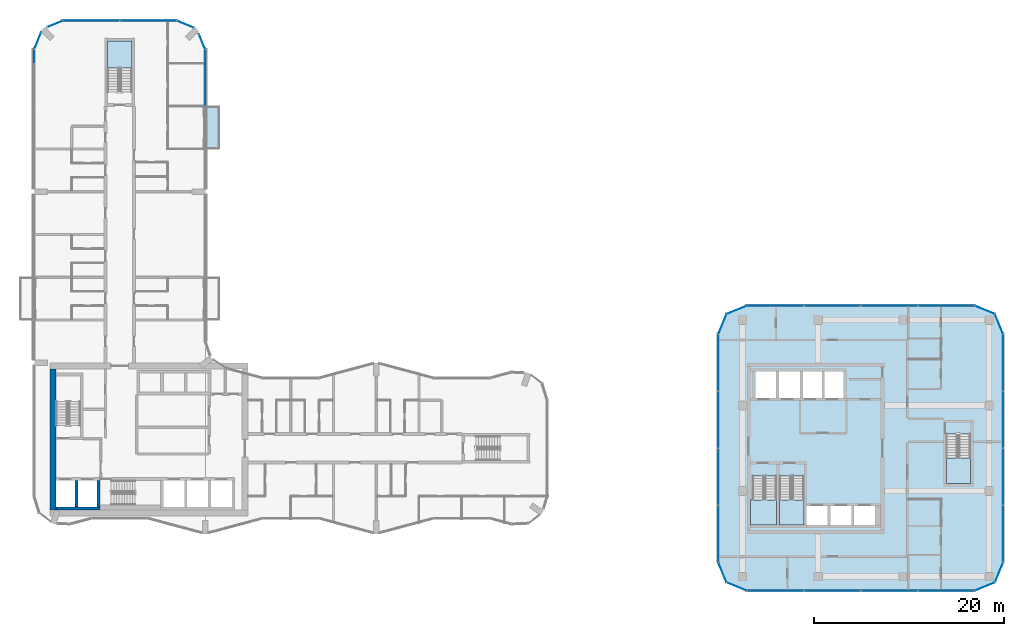
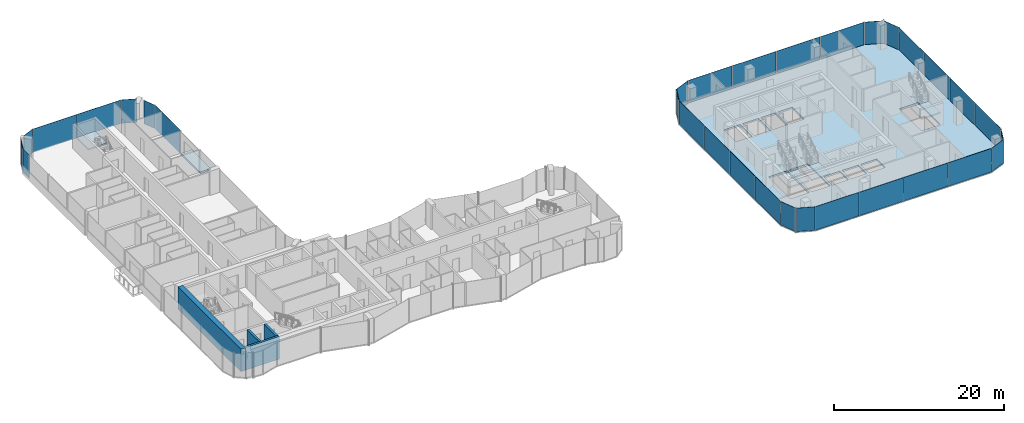
# One storey, part 12 of 22: 32 plates, 6 slabs, 4 walls, 23 elements without a shape of their own.
"""IFC4 building model written with IfcOpenShell, lengths in metres."""

from ifc_helpers import new_model, si_unit, direction, frame, frame_2d, origin, origin_2d, place, context, subcontext, project, spatial, polyline, rectangle, outline, extrude, material, layer, layer_set, type_object, element, aggregate, save


model = new_model("IFC4")

# Units and contexts
model_context = context("Model", 3, precision=1e-05, world=origin(), true_north=direction((0.0, 1.0)))
body_context = subcontext(model_context, "Body", "Model", "MODEL_VIEW")
ifc_project = project(units=[si_unit("LENGTHUNIT", "METRE"), si_unit("AREAUNIT", "SQUARE_METRE"), si_unit("VOLUMEUNIT", "CUBIC_METRE"), si_unit("PLANEANGLEUNIT", "RADIAN"), si_unit("MASSUNIT", "GRAM", prefix="KILO")], contexts=[model_context])

# Site, building, storey
site_placement = place(None, origin())
site = spatial("IfcSite", under=ifc_project, at=site_placement, CompositionType="ELEMENT")
building_placement = place(site_placement, origin())
building = spatial("IfcBuilding", under=site, at=building_placement, Name="Plateau Cross Towers", CompositionType="ELEMENT")
storey_placement = place(building_placement, frame((0.0, 0.0, 99.300048828125)))
storey = spatial("IfcBuildingStorey", under=building, at=storey_placement, Name="L25", CompositionType="ELEMENT", Elevation=99.300048828125)

# Slab
ifc_material_1 = material(Name="Concrete C40/50", Category="concrete")
ifc_layer_1 = layer(ifc_material_1, 0.25)
ifc_layer_set_1 = layer_set([ifc_layer_1], Name="Concrete C40/50")
slab_type_1 = type_object("IfcSlabType", Name="Balcony slab 250", PredefinedType="FLOOR", material=ifc_layer_set_1)
slab_1_placement = place(storey_placement, frame((0.0, 0.0, -0.25)))
element("IfcSlab", 1, at=slab_1_placement, inside=storey, type_object=slab_type_1, Name="Balcony slab A-BAL-L25-03", PredefinedType="FLOOR", context=body_context, shape_type="SweptSolid", body=[
    extrude(outline(polyline([(19.5, 40.5), (19.5, 45.0), (18.0, 45.0), (18.0, 40.5), (19.5, 40.5)])), origin(), (0.0, 0.0, 1.0), 0.25),
])

# Curtain wall, plates
ifc_material_2 = material(Name="Dark low-iron glass", Category="glass")
ifc_layer_2 = layer(ifc_material_2, 0.239990234375)
ifc_layer_set_2 = layer_set([ifc_layer_2], Name="Dark low-iron glass")
curtain_wall_type_1 = type_object("IfcCurtainWallType", Name="Curtain wall office unitised CW-F", PredefinedType="NOTDEFINED", material=ifc_layer_set_2)
curtain_wall_1_placement = place(storey_placement, origin())
curtain_wall_1 = element("IfcCurtainWall", 2, at=curtain_wall_1_placement, inside=storey, type_object=curtain_wall_type_1, Name="ENV/B/L25/B750_-60", PredefinedType="NOTDEFINED")
ifc_layer_3 = layer(ifc_material_2, 0.028076171875)
ifc_layer_set_3 = layer_set([ifc_layer_3], Name="Dark low-iron glass")
plate_type_1 = type_object("IfcPlateType", Name="Glass panel 28 office unitised", PredefinedType="CURTAIN_PANEL", material=ifc_layer_set_3)
plate_1_placement = place(storey_placement, frame((78.0, -6.0, -0.1298828125), z_axis=(0.0, 0.0, 1.0), x_axis=(1.0, 0.0, 0.0)))
plate_1 = element("IfcPlate", 3, at=plate_1_placement, type_object=plate_type_1, Name="CW-F panel 1", PredefinedType="CURTAIN_PANEL", context=body_context, shape_type="SweptSolid", body=[
    extrude(rectangle(XDim=5.93994140625, YDim=0.028076171875, at=origin_2d()), origin(), (0.0, 0.0, 1.0), 3.3798828125),
])
plate_2_placement = place(storey_placement, frame((84.0, -6.0, -0.1298828125), z_axis=(0.0, 0.0, 1.0), x_axis=(1.0, 0.0, 0.0)))
plate_2 = element("IfcPlate", 4, at=plate_2_placement, type_object=plate_type_1, Name="CW-F panel 2", PredefinedType="CURTAIN_PANEL", context=body_context, shape_type="SweptSolid", body=[
    extrude(rectangle(XDim=5.93994140625, YDim=0.028076171875, at=origin_2d()), origin(), (0.0, 0.0, 1.0), 3.3798828125),
])
plate_3_placement = place(storey_placement, frame((90.0, -6.0, -0.1298828125), z_axis=(0.0, 0.0, 1.0), x_axis=(1.0, 0.0, 0.0)))
plate_3 = element("IfcPlate", 5, at=plate_3_placement, type_object=plate_type_1, Name="CW-F panel 3", PredefinedType="CURTAIN_PANEL", context=body_context, shape_type="SweptSolid", body=[
    extrude(rectangle(XDim=5.93994140625, YDim=0.028076171875, at=origin_2d()), origin(), (0.0, 0.0, 1.0), 3.3798828125),
])
plate_4_placement = place(storey_placement, frame((96.0, -6.0, -0.1298828125), z_axis=(0.0, 0.0, 1.0), x_axis=(1.0, 0.0, 0.0)))
plate_4 = element("IfcPlate", 6, at=plate_4_placement, type_object=plate_type_1, Name="CW-F panel 4", PredefinedType="CURTAIN_PANEL", context=body_context, shape_type="SweptSolid", body=[
    extrude(rectangle(XDim=5.93994140625, YDim=0.028076171875, at=origin_2d()), origin(), (0.0, 0.0, 1.0), 3.3798828125),
])
aggregate(curtain_wall_1, [plate_1, plate_2, plate_3, plate_4])

# Curtain wall, plate
curtain_wall_2_placement = place(storey_placement, origin())
curtain_wall_2 = element("IfcCurtainWall", 7, at=curtain_wall_2_placement, inside=storey, type_object=curtain_wall_type_1, Name="ENV/B/L25/B990_-60", PredefinedType="NOTDEFINED")
plate_5_placement = place(storey_placement, frame((100.060546875, -5.560546875, -0.1298828125), z_axis=(0.0, 0.0, 1.0), x_axis=(0.923879457699, 0.382683612978, 0.0)))
plate_5 = element("IfcPlate", 8, at=plate_5_placement, type_object=plate_type_1, Name="CW-F panel 1", PredefinedType="CURTAIN_PANEL", context=body_context, shape_type="SweptSolid", body=[
    extrude(rectangle(XDim=2.236083984375, YDim=0.028076171875, at=origin_2d()), origin(), (0.0, 0.0, 1.0), 3.3798828125),
])
aggregate(curtain_wall_2, [plate_5])

curtain_wall_3_placement = place(storey_placement, origin())
curtain_wall_3 = element("IfcCurtainWall", 9, at=curtain_wall_3_placement, inside=storey, type_object=curtain_wall_type_1, Name="ENV/B/L25/B1011_-51", PredefinedType="NOTDEFINED")
plate_6_placement = place(storey_placement, frame((101.560546875, -4.060546875, -0.1298828125), z_axis=(0.0, 0.0, 1.0), x_axis=(0.382683612978, 0.923879457699, 0.0)))
plate_6 = element("IfcPlate", 10, at=plate_6_placement, type_object=plate_type_1, Name="CW-F panel 1", PredefinedType="CURTAIN_PANEL", context=body_context, shape_type="SweptSolid", body=[
    extrude(rectangle(XDim=2.236083984375, YDim=0.028076171875, at=origin_2d()), origin(), (0.0, 0.0, 1.0), 3.3798828125),
])
aggregate(curtain_wall_3, [plate_6])

# Curtain wall, plates
curtain_wall_4_placement = place(storey_placement, origin())
curtain_wall_4 = element("IfcCurtainWall", 11, at=curtain_wall_4_placement, inside=storey, type_object=curtain_wall_type_1, Name="ENV/B/L25/B1020_-30", PredefinedType="NOTDEFINED")
plate_7_placement = place(storey_placement, frame((102.0, 0.0, -0.1298828125), z_axis=(0.0, 0.0, 1.0), x_axis=(0.0, 1.0, 0.0)))
plate_7 = element("IfcPlate", 12, at=plate_7_placement, type_object=plate_type_1, Name="CW-F panel 1", PredefinedType="CURTAIN_PANEL", context=body_context, shape_type="SweptSolid", body=[
    extrude(rectangle(XDim=5.93994140625, YDim=0.028076171875, at=origin_2d()), origin(), (0.0, 0.0, 1.0), 3.3798828125),
])
plate_8_placement = place(storey_placement, frame((102.0, 6.0, -0.1298828125), z_axis=(0.0, 0.0, 1.0), x_axis=(0.0, 1.0, 0.0)))
plate_8 = element("IfcPlate", 13, at=plate_8_placement, type_object=plate_type_1, Name="CW-F panel 2", PredefinedType="CURTAIN_PANEL", context=body_context, shape_type="SweptSolid", body=[
    extrude(rectangle(XDim=5.93994140625, YDim=0.028076171875, at=origin_2d()), origin(), (0.0, 0.0, 1.0), 3.3798828125),
])
plate_9_placement = place(storey_placement, frame((102.0, 12.0, -0.1298828125), z_axis=(0.0, 0.0, 1.0), x_axis=(0.0, 1.0, 0.0)))
plate_9 = element("IfcPlate", 14, at=plate_9_placement, type_object=plate_type_1, Name="CW-F panel 3", PredefinedType="CURTAIN_PANEL", context=body_context, shape_type="SweptSolid", body=[
    extrude(rectangle(XDim=5.93994140625, YDim=0.028076171875, at=origin_2d()), origin(), (0.0, 0.0, 1.0), 3.3798828125),
])
plate_10_placement = place(storey_placement, frame((102.0, 18.0, -0.1298828125), z_axis=(0.0, 0.0, 1.0), x_axis=(0.0, 1.0, 0.0)))
plate_10 = element("IfcPlate", 15, at=plate_10_placement, type_object=plate_type_1, Name="CW-F panel 4", PredefinedType="CURTAIN_PANEL", context=body_context, shape_type="SweptSolid", body=[
    extrude(rectangle(XDim=5.93994140625, YDim=0.028076171875, at=origin_2d()), origin(), (0.0, 0.0, 1.0), 3.3798828125),
])
aggregate(curtain_wall_4, [plate_7, plate_8, plate_9, plate_10])

# Curtain wall, plate
curtain_wall_5_placement = place(storey_placement, origin())
curtain_wall_5 = element("IfcCurtainWall", 16, at=curtain_wall_5_placement, inside=storey, type_object=curtain_wall_type_1, Name="ENV/B/L25/B1020_210", PredefinedType="NOTDEFINED")
plate_11_placement = place(storey_placement, frame((101.560546875, 22.060546875, -0.1298828125), z_axis=(0.0, 0.0, 1.0), x_axis=(-0.382683612978, 0.923879457699, 0.0)))
plate_11 = element("IfcPlate", 17, at=plate_11_placement, type_object=plate_type_1, Name="CW-F panel 1", PredefinedType="CURTAIN_PANEL", context=body_context, shape_type="SweptSolid", body=[
    extrude(rectangle(XDim=2.236083984375, YDim=0.028076171875, at=origin_2d()), origin(), (0.0, 0.0, 1.0), 3.3798828125),
])
aggregate(curtain_wall_5, [plate_11])

curtain_wall_6_placement = place(storey_placement, origin())
curtain_wall_6 = element("IfcCurtainWall", 18, at=curtain_wall_6_placement, inside=storey, type_object=curtain_wall_type_1, Name="ENV/B/L25/B1011_231", PredefinedType="NOTDEFINED")
plate_12_placement = place(storey_placement, frame((100.060546875, 23.560546875, -0.1298828125), z_axis=(0.0, 0.0, 1.0), x_axis=(-0.923879457699, 0.382683612978, 0.0)))
plate_12 = element("IfcPlate", 19, at=plate_12_placement, type_object=plate_type_1, Name="CW-F panel 1", PredefinedType="CURTAIN_PANEL", context=body_context, shape_type="SweptSolid", body=[
    extrude(rectangle(XDim=2.236083984375, YDim=0.028076171875, at=origin_2d()), origin(), (0.0, 0.0, 1.0), 3.3798828125),
])
aggregate(curtain_wall_6, [plate_12])

# Curtain wall, plates
curtain_wall_7_placement = place(storey_placement, origin())
curtain_wall_7 = element("IfcCurtainWall", 20, at=curtain_wall_7_placement, inside=storey, type_object=curtain_wall_type_1, Name="ENV/B/L25/B990_240", PredefinedType="NOTDEFINED")
plate_13_placement = place(storey_placement, frame((96.0, 24.0, -0.1298828125), z_axis=(0.0, 0.0, 1.0), x_axis=(-1.0, 0.0, 0.0)))
plate_13 = element("IfcPlate", 21, at=plate_13_placement, type_object=plate_type_1, Name="CW-F panel 1", PredefinedType="CURTAIN_PANEL", context=body_context, shape_type="SweptSolid", body=[
    extrude(rectangle(XDim=5.93994140625, YDim=0.028076171875, at=origin_2d()), origin(), (0.0, 0.0, 1.0), 3.3798828125),
])
plate_14_placement = place(storey_placement, frame((90.0, 24.0, -0.1298828125), z_axis=(0.0, 0.0, 1.0), x_axis=(-1.0, 0.0, 0.0)))
plate_14 = element("IfcPlate", 22, at=plate_14_placement, type_object=plate_type_1, Name="CW-F panel 2", PredefinedType="CURTAIN_PANEL", context=body_context, shape_type="SweptSolid", body=[
    extrude(rectangle(XDim=5.93994140625, YDim=0.028076171875, at=origin_2d()), origin(), (0.0, 0.0, 1.0), 3.3798828125),
])
plate_15_placement = place(storey_placement, frame((84.0, 24.0, -0.1298828125), z_axis=(0.0, 0.0, 1.0), x_axis=(-1.0, 0.0, 0.0)))
plate_15 = element("IfcPlate", 23, at=plate_15_placement, type_object=plate_type_1, Name="CW-F panel 3", PredefinedType="CURTAIN_PANEL", context=body_context, shape_type="SweptSolid", body=[
    extrude(rectangle(XDim=5.93994140625, YDim=0.028076171875, at=origin_2d()), origin(), (0.0, 0.0, 1.0), 3.3798828125),
])
plate_16_placement = place(storey_placement, frame((78.0, 24.0, -0.1298828125), z_axis=(0.0, 0.0, 1.0), x_axis=(-1.0, 0.0, 0.0)))
plate_16 = element("IfcPlate", 24, at=plate_16_placement, type_object=plate_type_1, Name="CW-F panel 4", PredefinedType="CURTAIN_PANEL", context=body_context, shape_type="SweptSolid", body=[
    extrude(rectangle(XDim=5.93994140625, YDim=0.028076171875, at=origin_2d()), origin(), (0.0, 0.0, 1.0), 3.3798828125),
])
aggregate(curtain_wall_7, [plate_13, plate_14, plate_15, plate_16])

# Curtain wall, plate
curtain_wall_8_placement = place(storey_placement, origin())
curtain_wall_8 = element("IfcCurtainWall", 25, at=curtain_wall_8_placement, inside=storey, type_object=curtain_wall_type_1, Name="ENV/B/L25/B750_240", PredefinedType="NOTDEFINED")
plate_17_placement = place(storey_placement, frame((73.939453125, 23.560546875, -0.1298828125), z_axis=(0.0, 0.0, 1.0), x_axis=(-0.923879457699, -0.382683612978, 0.0)))
plate_17 = element("IfcPlate", 26, at=plate_17_placement, type_object=plate_type_1, Name="CW-F panel 1", PredefinedType="CURTAIN_PANEL", context=body_context, shape_type="SweptSolid", body=[
    extrude(rectangle(XDim=2.236083984375, YDim=0.028076171875, at=origin_2d()), origin(), (0.0, 0.0, 1.0), 3.3798828125),
])
aggregate(curtain_wall_8, [plate_17])

curtain_wall_9_placement = place(storey_placement, origin())
curtain_wall_9 = element("IfcCurtainWall", 27, at=curtain_wall_9_placement, inside=storey, type_object=curtain_wall_type_1, Name="ENV/B/L25/B729_231", PredefinedType="NOTDEFINED")
plate_18_placement = place(storey_placement, frame((72.439453125, 22.060546875, -0.1298828125), z_axis=(0.0, 0.0, 1.0), x_axis=(-0.382683612978, -0.923879457699, 0.0)))
plate_18 = element("IfcPlate", 28, at=plate_18_placement, type_object=plate_type_1, Name="CW-F panel 1", PredefinedType="CURTAIN_PANEL", context=body_context, shape_type="SweptSolid", body=[
    extrude(rectangle(XDim=2.236083984375, YDim=0.028076171875, at=origin_2d()), origin(), (0.0, 0.0, 1.0), 3.3798828125),
])
aggregate(curtain_wall_9, [plate_18])

# Curtain wall, plates
curtain_wall_10_placement = place(storey_placement, origin())
curtain_wall_10 = element("IfcCurtainWall", 29, at=curtain_wall_10_placement, inside=storey, type_object=curtain_wall_type_1, Name="ENV/B/L25/B720_210", PredefinedType="NOTDEFINED")
plate_19_placement = place(storey_placement, frame((72.0, 18.0, -0.1298828125), z_axis=(0.0, 0.0, 1.0), x_axis=(0.0, -1.0, 0.0)))
plate_19 = element("IfcPlate", 30, at=plate_19_placement, type_object=plate_type_1, Name="CW-F panel 1", PredefinedType="CURTAIN_PANEL", context=body_context, shape_type="SweptSolid", body=[
    extrude(rectangle(XDim=5.93994140625, YDim=0.028076171875, at=origin_2d()), origin(), (0.0, 0.0, 1.0), 3.3798828125),
])
plate_20_placement = place(storey_placement, frame((72.0, 12.0, -0.1298828125), z_axis=(0.0, 0.0, 1.0), x_axis=(0.0, -1.0, 0.0)))
plate_20 = element("IfcPlate", 31, at=plate_20_placement, type_object=plate_type_1, Name="CW-F panel 2", PredefinedType="CURTAIN_PANEL", context=body_context, shape_type="SweptSolid", body=[
    extrude(rectangle(XDim=5.93994140625, YDim=0.028076171875, at=origin_2d()), origin(), (0.0, 0.0, 1.0), 3.3798828125),
])
plate_21_placement = place(storey_placement, frame((72.0, 6.0, -0.1298828125), z_axis=(0.0, 0.0, 1.0), x_axis=(0.0, -1.0, 0.0)))
plate_21 = element("IfcPlate", 32, at=plate_21_placement, type_object=plate_type_1, Name="CW-F panel 3", PredefinedType="CURTAIN_PANEL", context=body_context, shape_type="SweptSolid", body=[
    extrude(rectangle(XDim=5.93994140625, YDim=0.028076171875, at=origin_2d()), origin(), (0.0, 0.0, 1.0), 3.3798828125),
])
plate_22_placement = place(storey_placement, frame((72.0, 0.0, -0.1298828125), z_axis=(0.0, 0.0, 1.0), x_axis=(0.0, -1.0, 0.0)))
plate_22 = element("IfcPlate", 33, at=plate_22_placement, type_object=plate_type_1, Name="CW-F panel 4", PredefinedType="CURTAIN_PANEL", context=body_context, shape_type="SweptSolid", body=[
    extrude(rectangle(XDim=5.93994140625, YDim=0.028076171875, at=origin_2d()), origin(), (0.0, 0.0, 1.0), 3.3798828125),
])
aggregate(curtain_wall_10, [plate_19, plate_20, plate_21, plate_22])

# Curtain wall, plate
curtain_wall_11_placement = place(storey_placement, origin())
curtain_wall_11 = element("IfcCurtainWall", 34, at=curtain_wall_11_placement, inside=storey, type_object=curtain_wall_type_1, Name="ENV/B/L25/B720_-30", PredefinedType="NOTDEFINED")
plate_23_placement = place(storey_placement, frame((72.439453125, -4.060546875, -0.1298828125), z_axis=(0.0, 0.0, 1.0), x_axis=(0.382683612978, -0.923879457699, 0.0)))
plate_23 = element("IfcPlate", 35, at=plate_23_placement, type_object=plate_type_1, Name="CW-F panel 1", PredefinedType="CURTAIN_PANEL", context=body_context, shape_type="SweptSolid", body=[
    extrude(rectangle(XDim=2.236083984375, YDim=0.028076171875, at=origin_2d()), origin(), (0.0, 0.0, 1.0), 3.3798828125),
])
aggregate(curtain_wall_11, [plate_23])

curtain_wall_12_placement = place(storey_placement, origin())
curtain_wall_12 = element("IfcCurtainWall", 36, at=curtain_wall_12_placement, inside=storey, type_object=curtain_wall_type_1, Name="ENV/B/L25/B729_-51", PredefinedType="NOTDEFINED")
plate_24_placement = place(storey_placement, frame((73.939453125, -5.560546875, -0.1298828125), z_axis=(0.0, 0.0, 1.0), x_axis=(0.923879457699, -0.382683612978, 0.0)))
plate_24 = element("IfcPlate", 37, at=plate_24_placement, type_object=plate_type_1, Name="CW-F panel 1", PredefinedType="CURTAIN_PANEL", context=body_context, shape_type="SweptSolid", body=[
    extrude(rectangle(XDim=2.236083984375, YDim=0.028076171875, at=origin_2d()), origin(), (0.0, 0.0, 1.0), 3.3798828125),
])
aggregate(curtain_wall_12, [plate_24])

ifc_layer_4 = layer(ifc_material_2, 0.239990234375)
ifc_layer_set_4 = layer_set([ifc_layer_4], Name="Dark low-iron glass")
curtain_wall_type_2 = type_object("IfcCurtainWallType", Name="Curtain wall flush unitised CW-B", PredefinedType="NOTDEFINED", material=ifc_layer_set_4)
curtain_wall_13_placement = place(storey_placement, origin())
curtain_wall_13 = element("IfcCurtainWall", 38, at=curtain_wall_13_placement, inside=storey, type_object=curtain_wall_type_2, Name="ENV/A/L25/A180_450", PredefinedType="NOTDEFINED")
ifc_layer_5 = layer(ifc_material_2, 0.031982421875)
ifc_layer_set_5 = layer_set([ifc_layer_5], Name="Dark low-iron glass")
plate_type_2 = type_object("IfcPlateType", Name="Glass panel 32 flush unitised", PredefinedType="CURTAIN_PANEL", material=ifc_layer_set_5)
plate_25_placement = place(storey_placement, frame((18.0, 48.0048828125, -0.1298828125), z_axis=(0.0, 0.0, 1.0), x_axis=(0.0, 1.0, 0.0)))
plate_25 = element("IfcPlate", 39, at=plate_25_placement, type_object=plate_type_2, Name="CW-B panel 1", PredefinedType="CURTAIN_PANEL", context=body_context, shape_type="SweptSolid", body=[
    extrude(rectangle(XDim=5.929931640625, YDim=0.031982421875, at=origin_2d()), origin(), (0.0, 0.0, 1.0), 3.3798828125),
])
aggregate(curtain_wall_13, [plate_25])

curtain_wall_14_placement = place(storey_placement, origin())
curtain_wall_14 = element("IfcCurtainWall", 40, at=curtain_wall_14_placement, inside=storey, type_object=curtain_wall_type_2, Name="ENV/A/L25/A180_510", PredefinedType="NOTDEFINED")
plate_26_placement = place(storey_placement, frame((17.66943359375, 51.79833984375, -0.1298828125), z_axis=(0.0, 0.0, 1.0), x_axis=(-0.382683612978, 0.923879457699, 0.0)))
plate_26 = element("IfcPlate", 41, at=plate_26_placement, type_object=plate_type_2, Name="CW-B panel 1", PredefinedType="CURTAIN_PANEL", context=body_context, shape_type="SweptSolid", body=[
    extrude(rectangle(XDim=1.668212890625, YDim=0.031982421875, at=origin_2d()), origin(), (0.0, 0.0, 1.0), 3.3798828125),
])
aggregate(curtain_wall_14, [plate_26])

curtain_wall_15_placement = place(storey_placement, origin())
curtain_wall_15 = element("IfcCurtainWall", 42, at=curtain_wall_15_placement, inside=storey, type_object=curtain_wall_type_2, Name="ENV/A/L25/A168_533", PredefinedType="NOTDEFINED")
plate_27_placement = place(storey_placement, frame((15.90283203125, 53.6259765625, -0.1298828125), z_axis=(0.0, 0.0, 1.0), x_axis=(-0.923879457699, 0.382683612978, 0.0)))
plate_27 = element("IfcPlate", 43, at=plate_27_placement, type_object=plate_type_2, Name="CW-B panel 1", PredefinedType="CURTAIN_PANEL", context=body_context, shape_type="SweptSolid", body=[
    extrude(rectangle(XDim=1.894775390625, YDim=0.031982421875, at=origin_2d()), origin(), (0.0, 0.0, 1.0), 3.3798828125),
])
aggregate(curtain_wall_15, [plate_27])

# Curtain wall, plates
curtain_wall_16_placement = place(storey_placement, origin())
curtain_wall_16 = element("IfcCurtainWall", 44, at=curtain_wall_16_placement, inside=storey, type_object=curtain_wall_type_2, Name="ENV/A/L25/A150_540", PredefinedType="NOTDEFINED")
plate_28_placement = place(storey_placement, frame((12.0, 54.0, -0.1298828125), z_axis=(0.0, 0.0, 1.0), x_axis=(-1.0, 0.0, 0.0)))
plate_28 = element("IfcPlate", 45, at=plate_28_placement, type_object=plate_type_2, Name="CW-B panel 1", PredefinedType="CURTAIN_PANEL", context=body_context, shape_type="SweptSolid", body=[
    extrude(rectangle(XDim=5.93994140625, YDim=0.031982421875, at=origin_2d()), origin(), (0.0, 0.0, 1.0), 3.3798828125),
])
plate_29_placement = place(storey_placement, frame((6.0, 54.0, -0.1298828125), z_axis=(0.0, 0.0, 1.0), x_axis=(-1.0, 0.0, 0.0)))
plate_29 = element("IfcPlate", 46, at=plate_29_placement, type_object=plate_type_2, Name="CW-B panel 2", PredefinedType="CURTAIN_PANEL", context=body_context, shape_type="SweptSolid", body=[
    extrude(rectangle(XDim=5.93994140625, YDim=0.031982421875, at=origin_2d()), origin(), (0.0, 0.0, 1.0), 3.3798828125),
])
aggregate(curtain_wall_16, [plate_28, plate_29])

# Curtain wall, plate
curtain_wall_17_placement = place(storey_placement, origin())
curtain_wall_17 = element("IfcCurtainWall", 47, at=curtain_wall_17_placement, inside=storey, type_object=curtain_wall_type_2, Name="ENV/A/L25/A30_540", PredefinedType="NOTDEFINED")
plate_30_placement = place(storey_placement, frame((2.20166015625, 53.66943359375, -0.1298828125), z_axis=(0.0, 0.0, 1.0), x_axis=(-0.923879457699, -0.382683612978, 0.0)))
plate_30 = element("IfcPlate", 48, at=plate_30_placement, type_object=plate_type_2, Name="CW-B panel 1", PredefinedType="CURTAIN_PANEL", context=body_context, shape_type="SweptSolid", body=[
    extrude(rectangle(XDim=1.668212890625, YDim=0.031982421875, at=origin_2d()), origin(), (0.0, 0.0, 1.0), 3.3798828125),
])
aggregate(curtain_wall_17, [plate_30])

curtain_wall_18_placement = place(storey_placement, origin())
curtain_wall_18 = element("IfcCurtainWall", 49, at=curtain_wall_18_placement, inside=storey, type_object=curtain_wall_type_2, Name="ENV/A/L25/A7_528", PredefinedType="NOTDEFINED")
plate_31_placement = place(storey_placement, frame((0.3740234375, 51.90283203125, -0.1298828125), z_axis=(0.0, 0.0, 1.0), x_axis=(-0.382683612978, -0.923879457699, 0.0)))
plate_31 = element("IfcPlate", 50, at=plate_31_placement, type_object=plate_type_2, Name="CW-B panel 1", PredefinedType="CURTAIN_PANEL", context=body_context, shape_type="SweptSolid", body=[
    extrude(rectangle(XDim=1.894775390625, YDim=0.031982421875, at=origin_2d()), origin(), (0.0, 0.0, 1.0), 3.3798828125),
])
aggregate(curtain_wall_18, [plate_31])

curtain_wall_19_placement = place(storey_placement, origin())
curtain_wall_19 = element("IfcCurtainWall", 51, at=curtain_wall_19_placement, inside=storey, type_object=curtain_wall_type_2, Name="ENV/A/L25/A0_510", PredefinedType="NOTDEFINED")
plate_32_placement = place(storey_placement, frame((0.0, 50.25, -0.1298828125), z_axis=(0.0, 0.0, 1.0), x_axis=(0.0, -1.0, 0.0)))
plate_32 = element("IfcPlate", 52, at=plate_32_placement, type_object=plate_type_2, Name="CW-B panel 1", PredefinedType="CURTAIN_PANEL", context=body_context, shape_type="SweptSolid", body=[
    extrude(rectangle(XDim=1.43994140625, YDim=0.031982421875, at=origin_2d()), origin(), (0.0, 0.0, 1.0), 3.3798828125),
])
aggregate(curtain_wall_19, [plate_32])

# Slab
ifc_layer_6 = layer(ifc_material_1, 0.25)
ifc_layer_set_6 = layer_set([ifc_layer_6], Name="Concrete C40/50")
slab_type_2 = type_object("IfcSlabType", Name="Post-tensioned flat plate slab 250", PredefinedType="FLOOR", material=ifc_layer_set_6)
slab_2_placement = place(storey_placement, frame((0.0, 0.0, -0.25)))
element("IfcSlab", 53, at=slab_2_placement, inside=storey, type_object=slab_type_2, Name="SL-B-L25", PredefinedType="FLOOR", context=body_context, shape_type="SweptSolid", body=[
    extrude(outline(polyline([(72.878662109375, -5.121337890625), (72.0, -3.0), (72.0, 21.0), (72.878662109375, 23.121337890625), (75.0, 24.0), (99.0, 24.0), (101.121337890625, 23.121337890625), (102.0, 21.0), (102.0, -3.0), (101.121337890625, -5.121337890625), (99.0, -6.0), (75.0, -6.0), (72.878662109375, -5.121337890625)]), holes=[polyline([(75.60009765625, 0.89990234375), (78.14990234375, 0.89990234375), (78.14990234375, 6.10009765625), (75.60009765625, 6.10009765625), (75.60009765625, 0.89990234375)]), polyline([(78.10009765625, 14.300048828125), (78.10009765625, 17.10009765625), (75.89990234375, 17.10009765625), (75.89990234375, 14.300048828125), (78.10009765625, 14.300048828125)]), polyline([(83.5, 0.89990234375), (83.5, 2.89990234375), (81.300048828125, 2.89990234375), (81.300048828125, 0.89990234375), (83.5, 0.89990234375)]), polyline([(86.0, 0.89990234375), (86.0, 2.89990234375), (83.800048828125, 2.89990234375), (83.800048828125, 0.89990234375), (86.0, 0.89990234375)]), polyline([(88.5, 0.89990234375), (88.5, 2.89990234375), (86.300048828125, 2.89990234375), (86.300048828125, 0.89990234375), (88.5, 0.89990234375)]), polyline([(78.449951171875, 0.89990234375), (81.0, 0.89990234375), (81.0, 6.10009765625), (78.449951171875, 6.10009765625), (78.449951171875, 0.89990234375)]), polyline([(96.0, 5.300048828125), (98.550048828125, 5.300048828125), (98.550048828125, 10.5), (96.0, 10.5), (96.0, 5.300048828125)]), polyline([(80.60009765625, 14.300048828125), (80.60009765625, 17.10009765625), (78.39990234375, 17.10009765625), (78.39990234375, 14.300048828125), (80.60009765625, 14.300048828125)]), polyline([(80.89990234375, 14.300048828125), (82.89990234375, 14.300048828125), (82.89990234375, 17.10009765625), (80.89990234375, 17.10009765625), (80.89990234375, 14.300048828125)]), polyline([(83.199951171875, 14.300048828125), (85.199951171875, 14.300048828125), (85.199951171875, 17.10009765625), (83.199951171875, 17.10009765625), (83.199951171875, 14.300048828125)])]), origin(), (0.0, 0.0, 1.0), 0.25),
])

# Stair, slab
stair_type = type_object("IfcStairType", Name="ST-TWR", PredefinedType="HALF_TURN_STAIR", material=ifc_material_1)
stair_1_placement = place(storey_placement, origin())
stair_1 = element("IfcStair", 54, at=stair_1_placement, inside=storey, type_object=stair_type, Name="L25 Protected Exit Stair SB-1", PredefinedType="HALF_TURN_STAIR")
ifc_layer_7 = layer(ifc_material_1, 0.199951171875)
ifc_layer_set_7 = layer_set([ifc_layer_7], Name="Concrete C40/50")
slab_type_3 = type_object("IfcSlabType", Name="SL-LANDING", PredefinedType="LANDING", material=ifc_layer_set_7)
slab_3_placement = place(storey_placement, frame((0.0, 0.0, 1.550048828125)))
slab_3 = element("IfcSlab", 55, at=slab_3_placement, type_object=slab_type_3, Name="SB-1 landing 1", PredefinedType="LANDING", context=body_context, shape_type="SweptSolid", body=[
    extrude(outline(polyline([(75.39990234375, 3.580078125), (75.39990234375, 0.89990234375), (78.14990234375, 0.89990234375), (78.14990234375, 3.580078125), (75.39990234375, 3.580078125)])), origin(), (0.0, 0.0, 1.0), 0.199951171875),
])
aggregate(stair_1, [slab_3])

stair_2_placement = place(storey_placement, origin())
stair_2 = element("IfcStair", 56, at=stair_2_placement, inside=storey, type_object=stair_type, Name="L25 Protected Exit Stair SB-2", PredefinedType="HALF_TURN_STAIR")
slab_4_placement = place(storey_placement, frame((0.0, 0.0, 1.550048828125)))
slab_4 = element("IfcSlab", 57, at=slab_4_placement, type_object=slab_type_3, Name="SB-2 landing 1", PredefinedType="LANDING", context=body_context, shape_type="SweptSolid", body=[
    extrude(outline(polyline([(78.449951171875, 3.580078125), (78.449951171875, 0.89990234375), (81.0, 0.89990234375), (81.0, 3.580078125), (78.449951171875, 3.580078125)])), origin(), (0.0, 0.0, 1.0), 0.199951171875),
])
aggregate(stair_2, [slab_4])

stair_3_placement = place(storey_placement, origin())
stair_3 = element("IfcStair", 58, at=stair_3_placement, inside=storey, type_object=stair_type, Name="L25 Protected Exit Stair SB-3", PredefinedType="HALF_TURN_STAIR")
slab_5_placement = place(storey_placement, frame((0.0, 0.0, 1.550048828125)))
slab_5 = element("IfcSlab", 59, at=slab_5_placement, type_object=slab_type_3, Name="SB-3 landing 1", PredefinedType="LANDING", context=body_context, shape_type="SweptSolid", body=[
    extrude(outline(polyline([(96.0, 7.97998046875), (96.0, 5.300048828125), (98.550048828125, 5.300048828125), (98.550048828125, 7.97998046875), (96.0, 7.97998046875)])), origin(), (0.0, 0.0, 1.0), 0.199951171875),
])
aggregate(stair_3, [slab_5])

stair_4_placement = place(storey_placement, origin())
stair_4 = element("IfcStair", 60, at=stair_4_placement, inside=storey, type_object=stair_type, Name="L25 Protected Exit Stair N", PredefinedType="HALF_TURN_STAIR")
slab_6_placement = place(storey_placement, frame((0.0, 0.0, 1.550048828125)))
slab_6 = element("IfcSlab", 61, at=slab_6_placement, type_object=slab_type_3, Name="ES-N landing 1", PredefinedType="LANDING", context=body_context, shape_type="SweptSolid", body=[
    extrude(outline(polyline([(10.27490234375, 49.02001953125), (10.27490234375, 51.85009765625), (7.72509765625, 51.85009765625), (7.72509765625, 49.02001953125), (10.27490234375, 49.02001953125)])), origin(), (0.0, 0.0, 1.0), 0.199951171875),
])
aggregate(stair_4, [slab_6])

# Walls
ifc_material_3 = material(Name="Concrete C60/75", Category="concrete")
ifc_layer_8 = layer(ifc_material_3, 0.300048828125)
ifc_layer_set_8 = layer_set([ifc_layer_8], Name="Concrete C60/75")
wall_type_1 = type_object("IfcWallType", Name="Core shaft wall 300", PredefinedType="SHEAR", material=ifc_layer_set_8)
wall_1_placement = place(storey_placement, frame((2.300048828125, 2.64990234375, 0.0), z_axis=(0.0, 0.0, 1.0), x_axis=(1.0, 0.0, 0.0)))
element("IfcWall", 62, at=wall_1_placement, inside=storey, type_object=wall_type_1, Name="A-sb-back1@L25", PredefinedType="SHEAR", context=body_context, shape_type="SweptSolid", body=[
    extrude(rectangle(XDim=4.599853515625, YDim=0.300048828125, at=frame_2d((2.2998046875, 0.0))), origin(), (0.0, 0.0, 1.0), 3.25),
])
for number, where, z_axis, x_axis, name in (
    (63, (4.449951171875, 2.800048828125, 0.0), (0.0, 0.0, 1.0), (0.0, 1.0, 0.0), "A-sb-v1@L25"),
    (64, (6.75, 2.800048828125, 0.0), (0.0, 0.0, 1.0), (0.0, 1.0, 0.0), "A-sb-v2@L25"),
):
    element("IfcWall", number, at=place(storey_placement, frame(where, z_axis=z_axis, x_axis=x_axis)), inside=storey, type_object=wall_type_1, Name=name, PredefinedType="SHEAR", context=body_context, shape_type="SweptSolid", body=[
        extrude(rectangle(XDim=2.800048828125, YDim=0.300048828125, at=frame_2d((1.39990234375, 0.0))), origin(), (0.0, 0.0, 1.0), 3.25),
    ])
ifc_layer_9 = layer(ifc_material_3, 0.64990234375)
ifc_layer_set_9 = layer_set([ifc_layer_9], Name="Concrete C60/75")
wall_type_2 = type_object("IfcWallType", Name="Core shell wall 650", PredefinedType="SHEAR", material=ifc_layer_set_9)
wall_2_placement = place(storey_placement, frame((1.97509765625, 2.5, 0.0), z_axis=(0.0, 0.0, 1.0), x_axis=(0.0, 1.0, 0.0)))
element("IfcWall", 65, at=wall_2_placement, inside=storey, type_object=wall_type_2, Name="A-core-W@L25", PredefinedType="SHEAR", context=body_context, shape_type="SweptSolid", body=[
    extrude(rectangle(XDim=14.85009765625, YDim=0.64990234375, at=frame_2d((7.425048828125, 0.0))), origin(), (0.0, 0.0, 1.0), 3.25),
])

save(model, "model.ifc")
